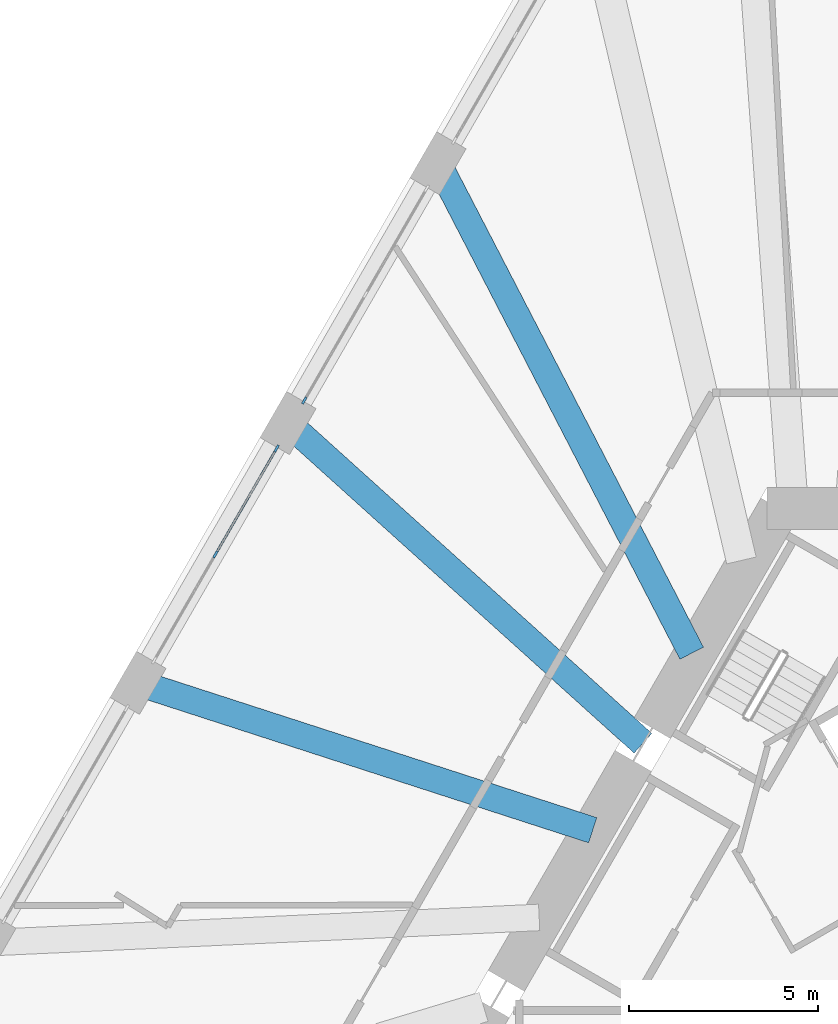
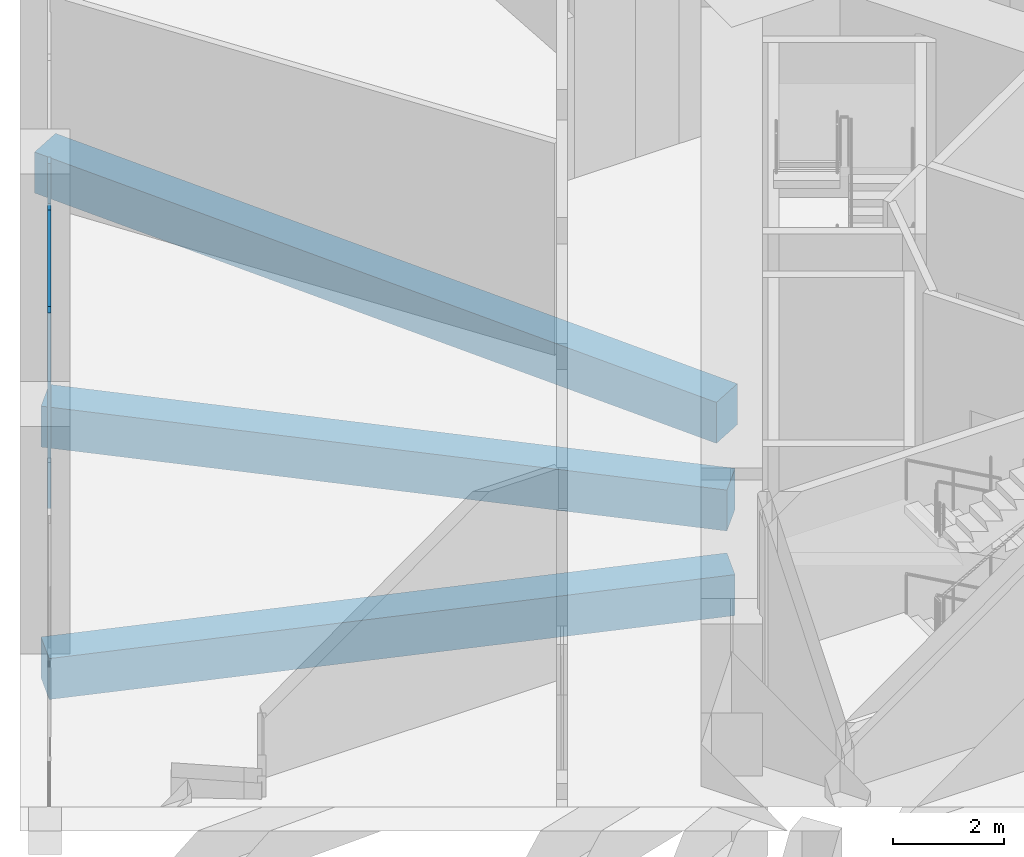
# One storey, part 6 of 20: 4 members, 3 beams, 2 elements without a shape of their own.
"""IFC4 building model written with IfcOpenShell, lengths in metres."""

from ifc_helpers import new_model, si_unit, direction, frame, origin, origin_2d, place, context, subcontext, project, spatial, rectangle, extrude, material, layer, layer_set, material_profile, profile_set, type_object, element, aggregate, save


model = new_model("IFC4")

# Units and contexts
model_context = context("Model", 3, precision=1e-05, world=origin(), true_north=direction((0.0, 1.0)))
body_context = subcontext(model_context, "Body", "Model", "MODEL_VIEW")
ifc_project = project(units=[si_unit("LENGTHUNIT", "METRE"), si_unit("AREAUNIT", "SQUARE_METRE"), si_unit("VOLUMEUNIT", "CUBIC_METRE"), si_unit("PLANEANGLEUNIT", "RADIAN"), si_unit("MASSUNIT", "GRAM", prefix="KILO")], contexts=[model_context])

# Site, building, storey
site_placement = place(None, origin())
site = spatial("IfcSite", under=ifc_project, at=site_placement, CompositionType="ELEMENT")
building_placement = place(site_placement, origin())
building = spatial("IfcBuilding", under=site, at=building_placement, Name="Tramontana Tower", CompositionType="ELEMENT")
storey_placement = place(building_placement, frame((0.0, 0.0, 10.0)))
storey = spatial("IfcBuildingStorey", under=building, at=storey_placement, Name="L01", CompositionType="ELEMENT", Elevation=10.0)

# Curtain wall, member
ifc_material_1 = material(Name="Aluminum extrusion", Category="aluminium")
ifc_layer = layer(ifc_material_1, 0.14990234375)
ifc_layer_set = layer_set([ifc_layer], Name="CW2 Podium amenity curtain wall")
curtain_wall_type = type_object("IfcCurtainWallType", Name="CW2 Podium amenity curtain wall", PredefinedType="NOTDEFINED", material=ifc_layer_set)
curtain_wall_1_placement = place(storey_placement, origin())
curtain_wall_1 = element("IfcCurtainWall", 1, at=curtain_wall_1_placement, inside=storey, type_object=curtain_wall_type, Name="CW2 curtain wall L01 face 0 bay 3", PredefinedType="NOTDEFINED")
ifc_material_2 = material(Name="Aluminum extrusion", Category="aluminium")
ifc_material_profile_1 = material_profile(ifc_material_2, rectangle(XDim=0.06005859375, YDim=0.199951171875, at=origin_2d()), Name="CW2-M Mullion 60 x 200")
ifc_profile_set_1 = profile_set([ifc_material_profile_1], Name="Aluminum extrusion")
member_type_1 = type_object("IfcMemberType", Name="CW2-M Mullion 60 x 200", PredefinedType="MULLION", material=ifc_profile_set_1)
member_1_placement = place(storey_placement, frame((-13.6552734375, 13.29833984375, 0.0), z_axis=(0.0, 0.0, 1.0), x_axis=(0.866025403784, -0.5, 0.0)))
member_1 = element("IfcMember", 2, at=member_1_placement, type_object=member_type_1, Name="CW2 curtain wall L01 face 0 bay 3 mullion 3", PredefinedType="MULLION", context=body_context, shape_type="SweptSolid", body=[
    extrude(rectangle(XDim=0.06005859375, YDim=0.199951171875, at=origin_2d()), origin(), (0.0, 0.0, 1.0), 4.300048828125),
])
aggregate(curtain_wall_1, [member_1])

# Curtain wall, members
curtain_wall_2_placement = place(storey_placement, origin())
curtain_wall_2 = element("IfcCurtainWall", 3, at=curtain_wall_2_placement, inside=storey, type_object=curtain_wall_type, Name="CW2 curtain wall L01 face 0 bay 4", PredefinedType="NOTDEFINED")
member_2_placement = place(storey_placement, frame((-14.38525390625, 12.033935546875, 0.0), z_axis=(0.0, 0.0, 1.0), x_axis=(0.866025403784, -0.5, 0.0)))
member_2 = element("IfcMember", 4, at=member_2_placement, type_object=member_type_1, Name="CW2 curtain wall L01 face 0 bay 4 mullion 1", PredefinedType="MULLION", context=body_context, shape_type="SweptSolid", body=[
    extrude(rectangle(XDim=0.06005859375, YDim=0.199951171875, at=origin_2d()), origin(), (0.0, 0.0, 1.0), 4.300048828125),
])
member_3_placement = place(storey_placement, frame((-15.999755859375, 9.237548828125, 0.0), z_axis=(0.0, 0.0, 1.0), x_axis=(0.866025403784, -0.5, 0.0)))
member_3 = element("IfcMember", 5, at=member_3_placement, type_object=member_type_1, Name="CW2 curtain wall L01 face 0 bay 4 mullion 2", PredefinedType="MULLION", context=body_context, shape_type="SweptSolid", body=[
    extrude(rectangle(XDim=0.06005859375, YDim=0.199951171875, at=origin_2d()), origin(), (0.0, 0.0, 1.0), 4.300048828125),
])
ifc_material_3 = material(Name="Aluminum extrusion", Category="aluminium")
ifc_material_profile_2 = material_profile(ifc_material_3, rectangle(XDim=0.06005859375, YDim=0.1201171875, at=origin_2d()), Name="CW2-T Transom 60 x 120")
ifc_profile_set_2 = profile_set([ifc_material_profile_2], Name="Aluminum extrusion")
member_type_2 = type_object("IfcMemberType", Name="CW2-T Transom 60 x 120", PredefinedType="USERDEFINED", material=ifc_profile_set_2)
member_4_placement = place(storey_placement, frame((-14.400390625, 12.0078125, 4.239990234375), z_axis=(-0.500000324964, -0.866025216166, 0.0), x_axis=(0.866025216166, -0.500000324964, 0.0)))
member_4 = element("IfcMember", 6, at=member_4_placement, type_object=member_type_2, Name="CW2 curtain wall L01 face 0 bay 4 transom 1.1", ObjectType="TRANSOM", PredefinedType="USERDEFINED", context=body_context, shape_type="SweptSolid", body=[
    extrude(rectangle(XDim=0.06005859375, YDim=0.1201171875, at=origin_2d()), origin(), (0.0, 0.0, 1.0), 3.1689453125),
])
aggregate(curtain_wall_2, [member_2, member_3, member_4])

# Beams
ifc_material_4 = material(Name="Concrete 40 MPa", Category="concrete")
ifc_material_profile_3 = material_profile(ifc_material_4, rectangle(XDim=0.699951171875, YDim=0.89990234375, at=origin_2d()), Name="RC GIRDER 700X900 40 MPa")
ifc_profile_set_3 = profile_set([ifc_material_profile_3], Name="Concrete 40 MPa")
beam_type = type_object("IfcBeamType", Name="RC GIRDER 700X900 40 MPa", PredefinedType="BEAM", material=ifc_profile_set_3)
beam_1_placement = place(storey_placement, frame((-10.126220703125, 19.560791015625, -0.800048828125), z_axis=(0.459730770714, -0.88805834181, 0.0), x_axis=(0.88805834181, 0.459730770714, 0.0)))
element("IfcBeam", 7, at=beam_1_placement, inside=storey, type_object=beam_type, Name="Radial girder C0F02 L01", PredefinedType="BEAM", context=body_context, shape_type="SweptSolid", body=[
    extrude(rectangle(XDim=0.699951171875, YDim=0.89990234375, at=origin_2d()), origin(), (0.0, 0.0, 1.0), 14.5615234375),
])
beam_2_placement = place(storey_placement, frame((-14.085205078125, 12.70361328125, -0.800048828125), z_axis=(0.742588406407, -0.669748056116, 0.0), x_axis=(0.669748056116, 0.742588406407, 0.0)))
element("IfcBeam", 8, at=beam_2_placement, inside=storey, type_object=beam_type, Name="Radial girder C0F03 L01", PredefinedType="BEAM", context=body_context, shape_type="SweptSolid", body=[
    extrude(rectangle(XDim=0.699951171875, YDim=0.89990234375, at=origin_2d()), origin(), (0.0, 0.0, 1.0), 12.615966796875),
])
beam_3_placement = place(storey_placement, frame((-18.044189453125, 5.846435546875, -0.800048828125), z_axis=(0.951314408854, -0.30822215285, 0.0), x_axis=(0.30822215285, 0.951314408854, 0.0)))
element("IfcBeam", 9, at=beam_3_placement, inside=storey, type_object=beam_type, Name="Radial girder C0F04 L01", PredefinedType="BEAM", context=body_context, shape_type="SweptSolid", body=[
    extrude(rectangle(XDim=0.699951171875, YDim=0.89990234375, at=origin_2d()), origin(), (0.0, 0.0, 1.0), 12.61572265625),
])

save(model, "model.ifc")
